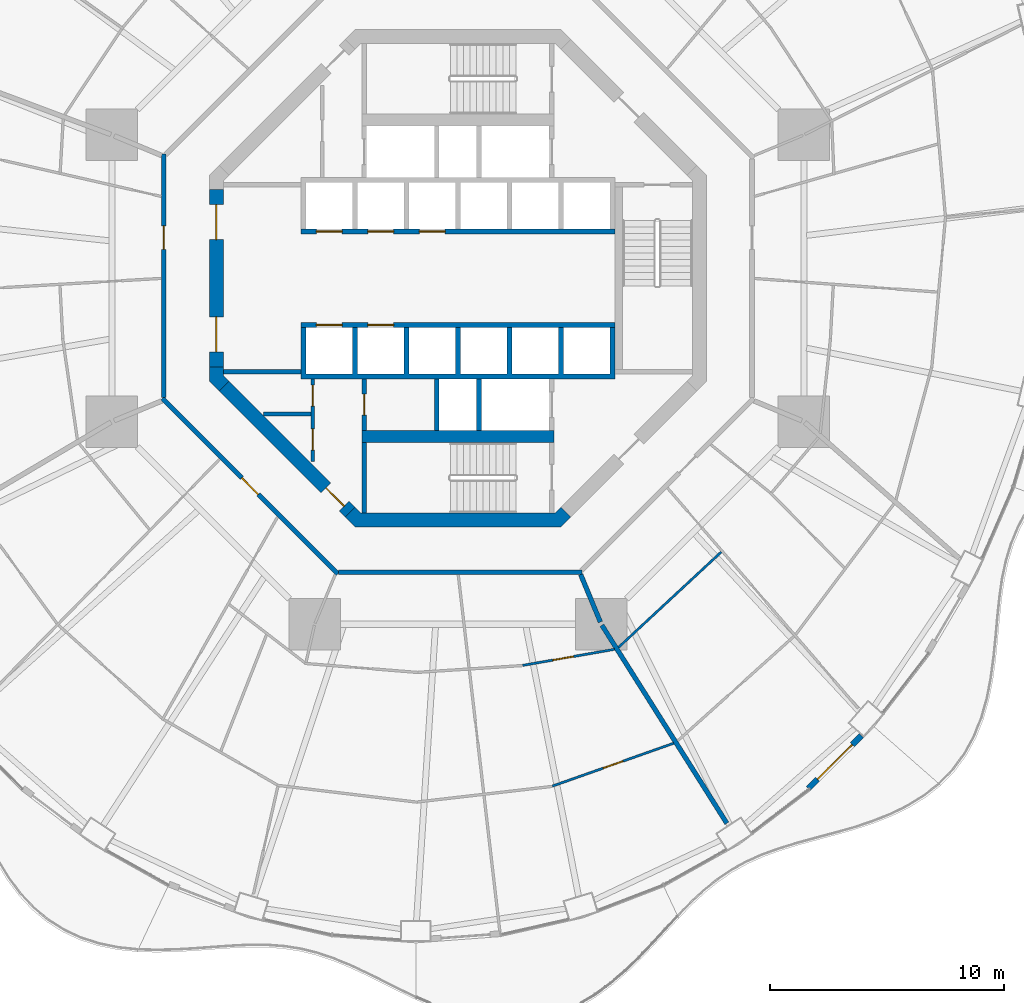
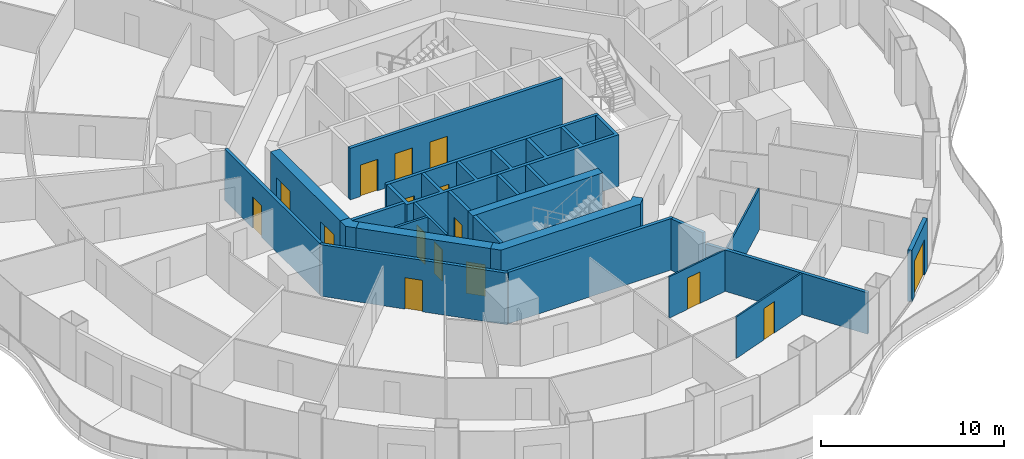
# One storey, part 15 of 22: 24 walls, 16 doors, 16 openings.
"""IFC4 building model written with IfcOpenShell, lengths in metres."""

from ifc_helpers import new_model, si_unit, direction, frame, frame_2d, origin, place, context, subcontext, project, spatial, polyline, rectangle, outline, extrude, material, layer, layer_set, type_object, element, fill, save


model = new_model("IFC4")

# Units and contexts
model_context = context("Model", 3, precision=1e-05, world=origin(), true_north=direction((0.0, 1.0)))
body_context = subcontext(model_context, "Body", "Model", "MODEL_VIEW")
ifc_project = project(units=[si_unit("LENGTHUNIT", "METRE"), si_unit("AREAUNIT", "SQUARE_METRE"), si_unit("VOLUMEUNIT", "CUBIC_METRE"), si_unit("PLANEANGLEUNIT", "RADIAN"), si_unit("MASSUNIT", "GRAM", prefix="KILO")], contexts=[model_context])

# Site, building, storey
site_placement = place(None, origin())
site = spatial("IfcSite", under=ifc_project, at=site_placement, CompositionType="ELEMENT")
building_placement = place(site_placement, origin())
building = spatial("IfcBuilding", under=site, at=building_placement, Name="Nagisa Residences", CompositionType="ELEMENT")
storey_placement = place(building_placement, frame((0.0, 0.0, 84.39990234375)))
storey = spatial("IfcBuildingStorey", under=building, at=storey_placement, Name="L20", CompositionType="ELEMENT", Elevation=84.39990234375)

# Walls
ifc_material_1 = material(Name="Gypsum board on steel studs", Category="steel")
ifc_layer_1 = layer(ifc_material_1, 0.199951171875)
ifc_layer_set_1 = layer_set([ifc_layer_1], Name="Apartment compartment wall EI60 200")
wall_type_1 = type_object("IfcWallType", Name="Apartment compartment wall EI60 200", PredefinedType="PARTITIONING", material=ifc_layer_set_1)
wall_1_placement = place(storey_placement, frame((5.24267578125, -12.6572265625, 0.0), z_axis=(0.0, 0.0, 1.0), x_axis=(0.382747093259, -0.923853160736, 0.0)))
element("IfcWall", 1, at=wall_1_placement, inside=storey, type_object=wall_type_1, Name="wall:L20:u06", PredefinedType="PARTITIONING", context=body_context, shape_type="SweptSolid", body=[
    extrude(rectangle(XDim=2.199951171875, YDim=0.199951171875, at=frame_2d((1.10009765625, 0.0))), origin(), (0.0, 0.0, 1.0), 3.440185546875),
])
wall_2_placement = place(storey_placement, frame((6.149658203125, -14.824462890625, 0.0), z_axis=(0.0, 0.0, 1.0), x_axis=(0.533492589682, -0.845804739142, 0.0)))
element("IfcWall", 2, at=wall_2_placement, inside=storey, type_object=wall_type_1, Name="wall:L20:u07", PredefinedType="PARTITIONING", context=body_context, shape_type="SweptSolid", body=[
    extrude(rectangle(XDim=10.006103515625, YDim=0.199951171875, at=frame_2d((5.0029296875, 0.0))), origin(), (0.0, 0.0, 1.0), 2.76220703125),
])

# Wall, opening, door
ifc_material_2 = material(Name="Gypsum board on steel studs", Category="steel")
ifc_layer_2 = layer(ifc_material_2, 0.199951171875)
ifc_layer_set_2 = layer_set([ifc_layer_2], Name="Apartment entry wall EI60 200")
wall_type_2 = type_object("IfcWallType", Name="Apartment entry wall EI60 200", PredefinedType="PARTITIONING", material=ifc_layer_set_2)
wall_3_placement = place(storey_placement, frame((-12.564697265625, 5.304443359375, 0.0), z_axis=(0.0, 0.0, 1.0), x_axis=(0.0, -1.0, 0.0)))
wall_3 = element("IfcWall", 3, at=wall_3_placement, inside=storey, type_object=wall_type_2, Name="wall:L20:u14", PredefinedType="PARTITIONING", context=body_context, shape_type="SweptSolid", body=[
    extrude(rectangle(XDim=10.408935546875, YDim=0.199951171875, at=frame_2d((5.20458984375, 0.0))), origin(), (0.0, 0.0, 1.0), 3.440185546875),
])
opening_1_placement = place(wall_3_placement, frame((3.069580078125, 0.0, 0.0)))
opening_1 = element("IfcOpeningElement", 4, at=opening_1_placement, cuts=wall_3, Name="Opening L20-U17", PredefinedType="OPENING", context=body_context, shape_type="SweptSolid", body=[
    extrude(rectangle(XDim=1.0, YDim=2.10009765625, at=frame_2d((0.5, 1.050048828125))), frame((0.0, 0.10986328125, 0.0), z_axis=(0.0, -1.0, 0.0), x_axis=(1.0, 0.0, 0.0)), (0.0, 0.0, 1.0), 0.219970703125),
])
ifc_material_3 = material(Name="Timber fire door set", Category="wood")
door_type_1 = type_object("IfcDoorType", Name="Apartment entry door FD30S 1000x2100", OperationType="NOTDEFINED", PredefinedType="DOOR", material=ifc_material_3)
door_1_placement = place(opening_1_placement, frame((1.0, 0.0, 0.0), x_axis=(-1.0, 0.0, 0.0)))
door_1 = element("IfcDoor", 5, at=door_1_placement, inside=storey, type_object=door_type_1, Name="Entry door, Apartment 20B", OperationType="SINGLE_SWING_RIGHT", OverallHeight=2.10009765625, OverallWidth=1.0, PredefinedType="DOOR", context=body_context, shape_type="SweptSolid", body=[
    extrude(rectangle(XDim=1.0, YDim=2.10009765625, at=frame_2d((0.5, 1.050048828125))), frame((0.0, 0.02490234375, 0.0), z_axis=(0.0, -1.0, 0.0), x_axis=(1.0, 0.0, 0.0)), (0.0, 0.0, 1.0), 0.050048828125),
])
fill(opening_1, door_1)

wall_4_placement = place(storey_placement, frame((-12.635498046875, -5.1337890625, 0.0), z_axis=(0.0, 0.0, 1.0), x_axis=(0.707106781187, -0.707106781187, 0.0)))
wall_4 = element("IfcWall", 6, at=wall_4_placement, inside=storey, type_object=wall_type_2, Name="wall:L20:u15", PredefinedType="PARTITIONING", context=body_context, shape_type="SweptSolid", body=[
    extrude(rectangle(XDim=10.609130859375, YDim=0.199951171875, at=frame_2d((5.3046875, 0.0))), origin(), (0.0, 0.0, 1.0), 3.440185546875),
])
opening_2_placement = place(wall_4_placement, frame((4.804443359375, 0.0, 0.0)))
opening_2 = element("IfcOpeningElement", 7, at=opening_2_placement, cuts=wall_4, Name="Opening L20-U24", PredefinedType="OPENING", context=body_context, shape_type="SweptSolid", body=[
    extrude(rectangle(XDim=1.0, YDim=2.10009765625, at=frame_2d((0.5, 1.050048828125))), frame((0.0, 0.10986328125, 0.0), z_axis=(0.0, -1.0, 0.0), x_axis=(1.0, 0.0, 0.0)), (0.0, 0.0, 1.0), 0.219970703125),
])
door_2_placement = place(opening_2_placement, frame((1.0, 0.0, 0.0), x_axis=(-1.0, 0.0, 0.0)))
door_2 = element("IfcDoor", 8, at=door_2_placement, inside=storey, type_object=door_type_1, Name="Entry door, Apartment 20C", OperationType="SINGLE_SWING_LEFT", OverallHeight=2.10009765625, OverallWidth=1.0, PredefinedType="DOOR", context=body_context, shape_type="SweptSolid", body=[
    extrude(rectangle(XDim=1.0, YDim=2.10009765625, at=frame_2d((0.5, 1.050048828125))), frame((0.0, 0.02490234375, 0.0), z_axis=(0.0, -1.0, 0.0), x_axis=(1.0, 0.0, 0.0)), (0.0, 0.0, 1.0), 0.050048828125),
])
fill(opening_2, door_2)

# Wall
wall_5_placement = place(storey_placement, frame((-5.1044921875, -12.564697265625, 0.0), z_axis=(0.0, 0.0, 1.0), x_axis=(1.0, 0.0, 0.0)))
element("IfcWall", 9, at=wall_5_placement, inside=storey, type_object=wall_type_2, Name="wall:L20:u16", PredefinedType="PARTITIONING", context=body_context, shape_type="SweptSolid", body=[
    extrude(rectangle(XDim=10.408935546875, YDim=0.199951171875, at=frame_2d((5.20458984375, 0.0))), origin(), (0.0, 0.0, 1.0), 3.440185546875),
])

# Wall, opening, door
ifc_material_4 = material(Name="Gypsum board on steel studs", Category="steel")
ifc_layer_3 = layer(ifc_material_4, 0.10009765625)
ifc_layer_set_3 = layer_set([ifc_layer_3], Name="Apartment partition 100")
wall_type_3 = type_object("IfcWallType", Name="Apartment partition 100", PredefinedType="PARTITIONING", material=ifc_layer_set_3)
wall_6_placement = place(storey_placement, frame((2.76513671875, -16.541015625, 0.0), z_axis=(0.0, 0.0, 1.0), x_axis=(0.984998714702, 0.172561676036, 0.0)))
wall_6 = element("IfcWall", 10, at=wall_6_placement, inside=storey, type_object=wall_type_3, Name="wall:L20:u81", PredefinedType="PARTITIONING", context=body_context, shape_type="SweptSolid", body=[
    extrude(rectangle(XDim=3.984130859375, YDim=0.10009765625, at=frame_2d((1.9921875, 0.0))), origin(), (0.0, 0.0, 1.0), 2.76220703125),
])
opening_3_placement = place(wall_6_placement, frame((1.3037109375, 0.0, 0.0)))
opening_3 = element("IfcOpeningElement", 11, at=opening_3_placement, cuts=wall_6, Name="Opening L20-U36", PredefinedType="OPENING", context=body_context, shape_type="SweptSolid", body=[
    extrude(rectangle(XDim=0.89990234375, YDim=2.10009765625, at=frame_2d((0.449951171875, 1.050048828125))), frame((0.0, 0.06005859375, 0.0), z_axis=(0.0, -1.0, 0.0), x_axis=(1.0, 0.0, 0.0)), (0.0, 0.0, 1.0), 0.1201171875),
])
ifc_material_5 = material(Name="Timber door set", Category="wood")
door_type_2 = type_object("IfcDoorType", Name="Apartment door 900x2100", OperationType="NOTDEFINED", PredefinedType="DOOR", material=ifc_material_5)
door_3_placement = place(opening_3_placement, origin())
door_3 = element("IfcDoor", 12, at=door_3_placement, inside=storey, type_object=door_type_2, Name="Door to laundry, Apartment 20C", OperationType="SINGLE_SWING_RIGHT", OverallHeight=2.10009765625, OverallWidth=0.89990234375, PredefinedType="DOOR", context=body_context, shape_type="SweptSolid", body=[
    extrude(rectangle(XDim=0.89990234375, YDim=2.10009765625, at=frame_2d((0.449951171875, 1.050048828125))), frame((0.0, 0.02490234375, 0.0), z_axis=(0.0, -1.0, 0.0), x_axis=(1.0, 0.0, 0.0)), (0.0, 0.0, 1.0), 0.050048828125),
])
fill(opening_3, door_3)

wall_7_placement = place(storey_placement, frame((4.034423828125, -21.698486328125, 0.0), z_axis=(0.0, 0.0, 1.0), x_axis=(0.942861482644, 0.33318497047, 0.0)))
wall_7 = element("IfcWall", 13, at=wall_7_placement, inside=storey, type_object=wall_type_3, Name="wall:L20:u82", PredefinedType="PARTITIONING", context=body_context, shape_type="SweptSolid", body=[
    extrude(rectangle(XDim=5.494873046875, YDim=0.10009765625, at=frame_2d((2.74755859375, 0.0))), origin(), (0.0, 0.0, 1.0), 2.76220703125),
])
opening_4_placement = place(wall_7_placement, frame((2.29736328125, 0.0, 0.0)))
opening_4 = element("IfcOpeningElement", 14, at=opening_4_placement, cuts=wall_7, Name="Opening L20-U34", PredefinedType="OPENING", context=body_context, shape_type="SweptSolid", body=[
    extrude(rectangle(XDim=0.89990234375, YDim=2.10009765625, at=frame_2d((0.449951171875, 1.050048828125))), frame((0.0, 0.06005859375, 0.0), z_axis=(0.0, -1.0, 0.0), x_axis=(1.0, 0.0, 0.0)), (0.0, 0.0, 1.0), 0.1201171875),
])
door_4_placement = place(opening_4_placement, frame((0.89990234375, 0.0, 0.0), x_axis=(-1.0, 0.0, 0.0)))
door_4 = element("IfcDoor", 15, at=door_4_placement, inside=storey, type_object=door_type_2, Name="Door to family room, Apartment 20C", OperationType="SINGLE_SWING_LEFT", OverallHeight=2.10009765625, OverallWidth=0.89990234375, PredefinedType="DOOR", context=body_context, shape_type="SweptSolid", body=[
    extrude(rectangle(XDim=0.89990234375, YDim=2.10009765625, at=frame_2d((0.449951171875, 1.050048828125))), frame((0.0, 0.02490234375, 0.0), z_axis=(0.0, -1.0, 0.0), x_axis=(1.0, 0.0, 0.0)), (0.0, 0.0, 1.0), 0.050048828125),
])
fill(opening_4, door_4)

# Wall
wall_8_placement = place(storey_placement, frame((6.861083984375, -15.768310546875, 0.0), z_axis=(0.0, 0.0, 1.0), x_axis=(0.733011256509, 0.680216508056, 0.0)))
element("IfcWall", 16, at=wall_8_placement, inside=storey, type_object=wall_type_3, Name="wall:L20:u83", PredefinedType="PARTITIONING", context=body_context, shape_type="SweptSolid", body=[
    extrude(rectangle(XDim=5.988525390625, YDim=0.10009765625, at=frame_2d((2.994140625, 0.0))), origin(), (0.0, 0.0, 1.0), 2.76220703125),
])

# Wall, opening, door
ifc_material_6 = material(Name="Precast concrete C40/50", Category="concrete")
ifc_layer_4 = layer(ifc_material_6, 0.25)
ifc_layer_set_4 = layer_set([ifc_layer_4], Name="BALCONY DOOR WALL 250")
wall_type_4 = type_object("IfcWallType", Name="BALCONY DOOR WALL 250", PredefinedType="SOLIDWALL", material=ifc_layer_set_4)
wall_9_placement = place(storey_placement, frame((17.23486328125, -19.537353515625, 0.0), z_axis=(0.0, 0.0, 1.0), x_axis=(-0.707793551437, -0.706419343269, 0.0)))
wall_9 = element("IfcWall", 17, at=wall_9_placement, inside=storey, type_object=wall_type_4, Name="wall:L20:bay41", PredefinedType="SOLIDWALL", context=body_context, shape_type="SweptSolid", body=[
    extrude(rectangle(XDim=3.19775390625, YDim=0.25, at=frame_2d((1.598876953125, 0.0))), origin(), (0.0, 0.0, 1.0), 3.440185546875),
])
opening_5_placement = place(wall_9_placement, frame((0.548828125, 0.0, 0.0)))
opening_5 = element("IfcOpeningElement", 18, at=opening_5_placement, cuts=wall_9, Name="Opening BD-L20-14", PredefinedType="OPENING", context=body_context, shape_type="SweptSolid", body=[
    extrude(rectangle(XDim=2.10009765625, YDim=2.39990234375, at=frame_2d((1.050048828125, 1.199951171875))), frame((0.0, 0.135009765625, 0.0), z_axis=(0.0, -1.0, 0.0), x_axis=(1.0, 0.0, 0.0)), (0.0, 0.0, 1.0), 0.27001953125),
])
ifc_material_7 = material(Name="Aluminium and clear glass", Category="aluminium")
door_type_3 = type_object("IfcDoorType", Name="BALCONY SLIDING DOOR 2100x2400", OperationType="SLIDING_TO_LEFT", PredefinedType="DOOR", material=ifc_material_7)
door_5_placement = place(opening_5_placement, origin())
door_5 = element("IfcDoor", 19, at=door_5_placement, inside=storey, type_object=door_type_3, Name="door:L20:bay41", OperationType="SLIDING_TO_LEFT", OverallHeight=2.39990234375, OverallWidth=2.10009765625, PredefinedType="DOOR", context=body_context, shape_type="SweptSolid", body=[
    extrude(rectangle(XDim=2.10009765625, YDim=2.39990234375, at=frame_2d((1.050048828125, 1.199951171875))), frame((0.0, 0.02490234375, 0.0), z_axis=(0.0, -1.0, 0.0), x_axis=(1.0, 0.0, 0.0)), (0.0, 0.0, 1.0), 0.050048828125),
])
fill(opening_5, door_5)

# Wall, openings, doors
ifc_material_8 = material(Name="Gypsum board on steel studs", Category="steel")
ifc_layer_5 = layer(ifc_material_8, 0.14990234375)
ifc_layer_set_5 = layer_set([ifc_layer_5], Name="Core partition 150")
wall_type_5 = type_object("IfcWallType", Name="Core partition 150", PredefinedType="PARTITIONING", material=ifc_layer_set_5)
wall_10_placement = place(storey_placement, frame((-6.199951171875, -7.826904296875, 0.0), z_axis=(0.0, 0.0, 1.0), x_axis=(0.0, 1.0, 0.0)))
wall_10 = element("IfcWall", 20, at=wall_10_placement, inside=storey, type_object=wall_type_5, Name="wall:L20:SWp", PredefinedType="PARTITIONING", context=body_context, shape_type="SweptSolid", body=[
    extrude(rectangle(XDim=3.52685546875, YDim=0.14990234375, at=frame_2d((1.763427734375, 0.0))), origin(), (0.0, 0.0, 1.0), 3.440185546875),
])
opening_6_placement = place(wall_10_placement, frame((2.364501953125, 0.0, 0.0)))
opening_6 = element("IfcOpeningElement", 21, at=opening_6_placement, cuts=wall_10, Name="Opening L20-C13", PredefinedType="OPENING", context=body_context, shape_type="SweptSolid", body=[
    extrude(rectangle(XDim=0.89990234375, YDim=2.10009765625, at=frame_2d((0.449951171875, 1.050048828125))), frame((0.0, 0.0849609375, 0.0), z_axis=(0.0, -1.0, 0.0), x_axis=(1.0, 0.0, 0.0)), (0.0, 0.0, 1.0), 0.169921875),
])
opening_7_placement = place(wall_10_placement, frame((0.488525390625, 0.0, 0.0)))
opening_7 = element("IfcOpeningElement", 22, at=opening_7_placement, cuts=wall_10, Name="Opening L20-C14", PredefinedType="OPENING", context=body_context, shape_type="SweptSolid", body=[
    extrude(rectangle(XDim=0.89990234375, YDim=2.10009765625, at=frame_2d((0.449951171875, 1.050048828125))), frame((0.0, 0.0849609375, 0.0), z_axis=(0.0, -1.0, 0.0), x_axis=(1.0, 0.0, 0.0)), (0.0, 0.0, 1.0), 0.169921875),
])
ifc_material_9 = material(Name="Steel fire door", Category="steel")
door_type_4 = type_object("IfcDoorType", Name="Fire door EI30 900x2100 single swing", OperationType="NOTDEFINED", PredefinedType="DOOR", material=ifc_material_9)
door_6_placement = place(opening_6_placement, origin())
door_6 = element("IfcDoor", 23, at=door_6_placement, inside=storey, type_object=door_type_4, Name="Cleaner store door L20", OperationType="SINGLE_SWING_LEFT", OverallHeight=2.10009765625, OverallWidth=0.89990234375, PredefinedType="DOOR", context=body_context, shape_type="SweptSolid", body=[
    extrude(rectangle(XDim=0.89990234375, YDim=2.10009765625, at=frame_2d((0.449951171875, 1.050048828125))), frame((0.0, 0.02490234375, 0.0), z_axis=(0.0, -1.0, 0.0), x_axis=(1.0, 0.0, 0.0)), (0.0, 0.0, 1.0), 0.050048828125),
])
fill(opening_6, door_6)
door_7_placement = place(opening_7_placement, origin())
door_7 = element("IfcDoor", 24, at=door_7_placement, inside=storey, type_object=door_type_4, Name="Package room door L20", OperationType="SINGLE_SWING_LEFT", OverallHeight=2.10009765625, OverallWidth=0.89990234375, PredefinedType="DOOR", context=body_context, shape_type="SweptSolid", body=[
    extrude(rectangle(XDim=0.89990234375, YDim=2.10009765625, at=frame_2d((0.449951171875, 1.050048828125))), frame((0.0, 0.02490234375, 0.0), z_axis=(0.0, -1.0, 0.0), x_axis=(1.0, 0.0, 0.0)), (0.0, 0.0, 1.0), 0.050048828125),
])
fill(opening_7, door_7)

# Walls
wall_11_placement = place(storey_placement, frame((-8.301025390625, -5.800048828125, 0.0), z_axis=(0.0, 0.0, 1.0), x_axis=(1.0, 0.0, 0.0)))
element("IfcWall", 25, at=wall_11_placement, inside=storey, type_object=wall_type_5, Name="wall:L20:SWq", PredefinedType="PARTITIONING", context=body_context, shape_type="SweptSolid", body=[
    extrude(rectangle(XDim=2.026123046875, YDim=0.14990234375, at=frame_2d((1.01318359375, 0.0))), origin(), (0.0, 0.0, 1.0), 3.440185546875),
])
ifc_material_10 = material(Name="Gypsum board on steel studs", Category="steel")
ifc_layer_6 = layer(ifc_material_10, 0.199951171875)
ifc_layer_set_6 = layer_set([ifc_layer_6], Name="Core partition 200")
wall_type_6 = type_object("IfcWallType", Name="Core partition 200", PredefinedType="PARTITIONING", material=ifc_layer_set_6)
wall_12_placement = place(storey_placement, frame((-10.024658203125, -4.0, 0.0), z_axis=(0.0, 0.0, 1.0), x_axis=(1.0, 0.0, 0.0)))
element("IfcWall", 26, at=wall_12_placement, inside=storey, type_object=wall_type_6, Name="wall:L20:PSW", PredefinedType="PARTITIONING", context=body_context, shape_type="SweptSolid", body=[
    extrude(rectangle(XDim=3.32470703125, YDim=0.199951171875, at=frame_2d((1.662353515625, 0.0))), origin(), (0.0, 0.0, 1.0), 3.440185546875),
])

# Wall, openings, doors
ifc_material_11 = material(Name="Concrete C60", Category="concrete")
ifc_layer_7 = layer(ifc_material_11, 0.60009765625)
ifc_layer_set_7 = layer_set([ifc_layer_7], Name="Core shear wall 600")
wall_type_7 = type_object("IfcWallType", Name="Core shear wall 600", PredefinedType="SHEAR", material=ifc_layer_set_7)
wall_13_placement = place(storey_placement, frame((-10.32470703125, 3.80078125, 0.0), z_axis=(0.0, 0.0, 1.0), x_axis=(0.0, -1.0, 0.0)))
wall_13 = element("IfcWall", 27, at=wall_13_placement, inside=storey, type_object=wall_type_7, Name="wall:L20:core:flat4", PredefinedType="SHEAR", context=body_context, shape_type="SweptSolid", body=[
    extrude(rectangle(XDim=7.6015625, YDim=0.60009765625, at=frame_2d((3.80078125, 0.0))), origin(), (0.0, 0.0, 1.0), 3.440185546875),
])
opening_8_placement = place(wall_13_placement, frame((0.65087890625, 0.0, 0.0)))
opening_8 = element("IfcOpeningElement", 28, at=opening_8_placement, cuts=wall_13, Name="Opening L20-C18", PredefinedType="OPENING", context=body_context, shape_type="SweptSolid", body=[
    extrude(rectangle(XDim=1.5, YDim=2.10009765625, at=frame_2d((0.75, 1.050048828125))), frame((0.0, 0.31005859375, 0.0), z_axis=(0.0, -1.0, 0.0), x_axis=(1.0, 0.0, 0.0)), (0.0, 0.0, 1.0), 0.6201171875),
])
opening_9_placement = place(wall_13_placement, frame((5.450927734375, 0.0, 0.0)))
opening_9 = element("IfcOpeningElement", 29, at=opening_9_placement, cuts=wall_13, Name="Opening L20-C19", PredefinedType="OPENING", context=body_context, shape_type="SweptSolid", body=[
    extrude(rectangle(XDim=1.5, YDim=2.10009765625, at=frame_2d((0.75, 1.050048828125))), frame((0.0, 0.31005859375, 0.0), z_axis=(0.0, -1.0, 0.0), x_axis=(1.0, 0.0, 0.0)), (0.0, 0.0, 1.0), 0.6201171875),
])
ifc_material_12 = material(Name="Steel fire door", Category="steel")
door_type_5 = type_object("IfcDoorType", Name="Fire door EI60 1500x2100 double door single swing", OperationType="DOUBLE_DOOR_SINGLE_SWING", PredefinedType="DOOR", material=ifc_material_12)
door_8_placement = place(opening_8_placement, origin())
door_8 = element("IfcDoor", 30, at=door_8_placement, inside=storey, type_object=door_type_5, Name="Lift lobby door L20 1", OperationType="DOUBLE_DOOR_SINGLE_SWING", OverallHeight=2.10009765625, OverallWidth=1.5, PredefinedType="DOOR", context=body_context, shape_type="SweptSolid", body=[
    extrude(rectangle(XDim=1.5, YDim=2.10009765625, at=frame_2d((0.75, 1.050048828125))), frame((0.0, 0.02490234375, 0.0), z_axis=(0.0, -1.0, 0.0), x_axis=(1.0, 0.0, 0.0)), (0.0, 0.0, 1.0), 0.050048828125),
])
fill(opening_8, door_8)
door_9_placement = place(opening_9_placement, origin())
door_9 = element("IfcDoor", 31, at=door_9_placement, inside=storey, type_object=door_type_5, Name="Lift lobby door L20 2", OperationType="DOUBLE_DOOR_SINGLE_SWING", OverallHeight=2.10009765625, OverallWidth=1.5, PredefinedType="DOOR", context=body_context, shape_type="SweptSolid", body=[
    extrude(rectangle(XDim=1.5, YDim=2.10009765625, at=frame_2d((0.75, 1.050048828125))), frame((0.0, 0.02490234375, 0.0), z_axis=(0.0, -1.0, 0.0), x_axis=(1.0, 0.0, 0.0)), (0.0, 0.0, 1.0), 0.050048828125),
])
fill(opening_9, door_9)

# Wall, opening, door
wall_14_placement = place(storey_placement, frame((-9.98828125, -4.613037109375, 0.0), z_axis=(0.0, 0.0, 1.0), x_axis=(0.707106781187, -0.707106781187, 0.0)))
wall_14 = element("IfcWall", 32, at=wall_14_placement, inside=storey, type_object=wall_type_7, Name="wall:L20:core:flat5", PredefinedType="SHEAR", context=body_context, shape_type="SweptSolid", body=[
    extrude(rectangle(XDim=7.601806640625, YDim=0.60009765625, at=frame_2d((3.80078125, 0.0))), origin(), (0.0, 0.0, 1.0), 3.440185546875),
])
opening_10_placement = place(wall_14_placement, frame((6.15087890625, 0.0, 0.0)))
opening_10 = element("IfcOpeningElement", 33, at=opening_10_placement, cuts=wall_14, Name="Opening L20-C21", PredefinedType="OPENING", context=body_context, shape_type="SweptSolid", body=[
    extrude(rectangle(XDim=1.10009765625, YDim=2.10009765625, at=frame_2d((0.550048828125, 1.050048828125))), frame((0.0, 0.31005859375, 0.0), z_axis=(0.0, -1.0, 0.0), x_axis=(1.0, 0.0, 0.0)), (0.0, 0.0, 1.0), 0.6201171875),
])
ifc_material_13 = material(Name="Steel fire door", Category="steel")
door_type_6 = type_object("IfcDoorType", Name="Fire door EI60 1100x2100 single swing", OperationType="NOTDEFINED", PredefinedType="DOOR", material=ifc_material_13)
door_10_placement = place(opening_10_placement, origin())
door_10 = element("IfcDoor", 34, at=door_10_placement, inside=storey, type_object=door_type_6, Name="Housekeeping lobby door L20", OperationType="SINGLE_SWING_LEFT", OverallHeight=2.10009765625, OverallWidth=1.10009765625, PredefinedType="DOOR", context=body_context, shape_type="SweptSolid", body=[
    extrude(rectangle(XDim=1.10009765625, YDim=2.10009765625, at=frame_2d((0.550048828125, 1.050048828125))), frame((0.0, 0.02490234375, 0.0), z_axis=(0.0, -1.0, 0.0), x_axis=(1.0, 0.0, 0.0)), (0.0, 0.0, 1.0), 0.050048828125),
])
fill(opening_10, door_10)

# Walls
wall_15_placement = place(storey_placement, origin())
element("IfcWall", 35, at=wall_15_placement, inside=storey, type_object=wall_type_7, Name="wall:L20:core:pier4", PredefinedType="SHEAR", context=body_context, shape_type="SweptSolid", body=[
    extrude(outline(polyline([(-10.62451171875, -3.80078125), (-10.024658203125, -3.80078125), (-10.024658203125, -4.15234375), (-9.776123046875, -4.40087890625), (-10.200439453125, -4.8251953125), (-10.62451171875, -4.40087890625), (-10.62451171875, -3.80078125)])), origin(), (0.0, 0.0, 1.0), 3.440185546875),
])
wall_16_placement = place(storey_placement, origin())
element("IfcWall", 36, at=wall_16_placement, inside=storey, type_object=wall_type_7, Name="wall:L20:core:flat6", PredefinedType="SHEAR", context=body_context, shape_type="SweptSolid", body=[
    extrude(outline(polyline([(-4.15234375, -10.024658203125), (4.15234375, -10.024658203125), (4.40087890625, -9.776123046875), (4.8251953125, -10.200439453125), (4.40087890625, -10.62451171875), (-4.40087890625, -10.62451171875), (-4.8251953125, -10.200439453125), (-4.40087890625, -9.776123046875), (-4.15234375, -10.024658203125)])), origin(), (0.0, 0.0, 1.0), 3.440185546875),
])

# Wall, openings, doors
ifc_material_14 = material(Name="Concrete C60", Category="concrete")
ifc_layer_8 = layer(ifc_material_14, 0.199951171875)
ifc_layer_set_8 = layer_set([ifc_layer_8], Name="Lift shaft wall 200")
wall_type_8 = type_object("IfcWallType", Name="Lift shaft wall 200", PredefinedType="SOLIDWALL", material=ifc_layer_set_8)
wall_17_placement = place(storey_placement, frame((-6.699951171875, 2.0, 0.0), z_axis=(0.0, 0.0, 1.0), x_axis=(1.0, 0.0, 0.0)))
wall_17 = element("IfcWall", 37, at=wall_17_placement, inside=storey, type_object=wall_type_8, Name="wall:L20:Nfront", PredefinedType="SOLIDWALL", context=body_context, shape_type="SweptSolid", body=[
    extrude(rectangle(XDim=13.39990234375, YDim=0.199951171875, at=frame_2d((6.699951171875, 0.0))), origin(), (0.0, 0.0, 1.0), 3.440185546875),
])
opening_11_placement = place(wall_17_placement, frame((0.64990234375, 0.0, 0.0)))
opening_11 = element("IfcOpeningElement", 38, at=opening_11_placement, cuts=wall_17, Name="Opening L20-C01", PredefinedType="OPENING", context=body_context, shape_type="SweptSolid", body=[
    extrude(rectangle(XDim=1.10009765625, YDim=2.10009765625, at=frame_2d((0.550048828125, 1.050048828125))), frame((0.0, 0.10986328125, 0.0), z_axis=(0.0, -1.0, 0.0), x_axis=(1.0, 0.0, 0.0)), (0.0, 0.0, 1.0), 0.219970703125),
])
opening_12_placement = place(wall_17_placement, frame((2.85009765625, 0.0, 0.0)))
opening_12 = element("IfcOpeningElement", 39, at=opening_12_placement, cuts=wall_17, Name="Opening L20-C02", PredefinedType="OPENING", context=body_context, shape_type="SweptSolid", body=[
    extrude(rectangle(XDim=1.10009765625, YDim=2.10009765625, at=frame_2d((0.550048828125, 1.050048828125))), frame((0.0, 0.10986328125, 0.0), z_axis=(0.0, -1.0, 0.0), x_axis=(1.0, 0.0, 0.0)), (0.0, 0.0, 1.0), 0.219970703125),
])
opening_13_placement = place(wall_17_placement, frame((5.050048828125, 0.0, 0.0)))
opening_13 = element("IfcOpeningElement", 40, at=opening_13_placement, cuts=wall_17, Name="Opening L20-C03", PredefinedType="OPENING", context=body_context, shape_type="SweptSolid", body=[
    extrude(rectangle(XDim=1.10009765625, YDim=2.10009765625, at=frame_2d((0.550048828125, 1.050048828125))), frame((0.0, 0.10986328125, 0.0), z_axis=(0.0, -1.0, 0.0), x_axis=(1.0, 0.0, 0.0)), (0.0, 0.0, 1.0), 0.219970703125),
])
ifc_material_15 = material(Name="Stainless steel", Category="steel")
door_type_7 = type_object("IfcDoorType", Name="Lift landing door 1100x2100", OperationType="DOUBLE_DOOR_SLIDING", PredefinedType="DOOR", material=ifc_material_15)
door_11_placement = place(opening_11_placement, origin())
door_11 = element("IfcDoor", 41, at=door_11_placement, inside=storey, type_object=door_type_7, Name="Landing door A1 L20", OperationType="DOUBLE_DOOR_SLIDING", OverallHeight=2.10009765625, OverallWidth=1.10009765625, PredefinedType="DOOR", context=body_context, shape_type="SweptSolid", body=[
    extrude(rectangle(XDim=1.10009765625, YDim=2.10009765625, at=frame_2d((0.550048828125, 1.050048828125))), frame((0.0, 0.02490234375, 0.0), z_axis=(0.0, -1.0, 0.0), x_axis=(1.0, 0.0, 0.0)), (0.0, 0.0, 1.0), 0.050048828125),
])
fill(opening_11, door_11)
door_12_placement = place(opening_12_placement, origin())
door_12 = element("IfcDoor", 42, at=door_12_placement, inside=storey, type_object=door_type_7, Name="Landing door A2 L20", OperationType="DOUBLE_DOOR_SLIDING", OverallHeight=2.10009765625, OverallWidth=1.10009765625, PredefinedType="DOOR", context=body_context, shape_type="SweptSolid", body=[
    extrude(rectangle(XDim=1.10009765625, YDim=2.10009765625, at=frame_2d((0.550048828125, 1.050048828125))), frame((0.0, 0.02490234375, 0.0), z_axis=(0.0, -1.0, 0.0), x_axis=(1.0, 0.0, 0.0)), (0.0, 0.0, 1.0), 0.050048828125),
])
fill(opening_12, door_12)
door_13_placement = place(opening_13_placement, origin())
door_13 = element("IfcDoor", 43, at=door_13_placement, inside=storey, type_object=door_type_7, Name="Landing door A3 L20", OperationType="DOUBLE_DOOR_SLIDING", OverallHeight=2.10009765625, OverallWidth=1.10009765625, PredefinedType="DOOR", context=body_context, shape_type="SweptSolid", body=[
    extrude(rectangle(XDim=1.10009765625, YDim=2.10009765625, at=frame_2d((0.550048828125, 1.050048828125))), frame((0.0, 0.02490234375, 0.0), z_axis=(0.0, -1.0, 0.0), x_axis=(1.0, 0.0, 0.0)), (0.0, 0.0, 1.0), 0.050048828125),
])
fill(opening_13, door_13)

# Wall, opening, door
wall_18_placement = place(storey_placement, frame((-4.0, -6.5, 0.0), z_axis=(0.0, 0.0, 1.0), x_axis=(0.0, 1.0, 0.0)))
wall_18 = element("IfcWall", 44, at=wall_18_placement, inside=storey, type_object=wall_type_8, Name="wall:L20:Sb4", PredefinedType="SOLIDWALL", context=body_context, shape_type="SweptSolid", body=[
    extrude(rectangle(XDim=2.199951171875, YDim=0.199951171875, at=frame_2d((1.10009765625, 0.0))), origin(), (0.0, 0.0, 1.0), 3.440185546875),
])
opening_14_placement = place(wall_18_placement, frame((0.64990234375, 0.0, 0.0)))
opening_14 = element("IfcOpeningElement", 45, at=opening_14_placement, cuts=wall_18, Name="Opening L20-C15", PredefinedType="OPENING", context=body_context, shape_type="SweptSolid", body=[
    extrude(rectangle(XDim=0.89990234375, YDim=2.10009765625, at=frame_2d((0.449951171875, 1.050048828125))), frame((0.0, 0.10986328125, 0.0), z_axis=(0.0, -1.0, 0.0), x_axis=(1.0, 0.0, 0.0)), (0.0, 0.0, 1.0), 0.219970703125),
])
door_14_placement = place(opening_14_placement, frame((0.89990234375, 0.0, 0.0), x_axis=(-1.0, 0.0, 0.0)))
door_14 = element("IfcDoor", 46, at=door_14_placement, inside=storey, type_object=door_type_4, Name="Refuse room door L20", OperationType="SINGLE_SWING_RIGHT", OverallHeight=2.10009765625, OverallWidth=0.89990234375, PredefinedType="DOOR", context=body_context, shape_type="SweptSolid", body=[
    extrude(rectangle(XDim=0.89990234375, YDim=2.10009765625, at=frame_2d((0.449951171875, 1.050048828125))), frame((0.0, 0.02490234375, 0.0), z_axis=(0.0, -1.0, 0.0), x_axis=(1.0, 0.0, 0.0)), (0.0, 0.0, 1.0), 0.050048828125),
])
fill(opening_14, door_14)

# Wall, openings, doors
wall_19_placement = place(storey_placement, frame((-6.699951171875, -2.0, 0.0), z_axis=(0.0, 0.0, 1.0), x_axis=(1.0, 0.0, 0.0)))
wall_19 = element("IfcWall", 47, at=wall_19_placement, inside=storey, type_object=wall_type_8, Name="wall:L20:Sfront", PredefinedType="SOLIDWALL", context=body_context, shape_type="SweptSolid", body=[
    extrude(rectangle(XDim=13.39990234375, YDim=0.199951171875, at=frame_2d((6.699951171875, 0.0))), origin(), (0.0, 0.0, 1.0), 3.440185546875),
])
opening_15_placement = place(wall_19_placement, frame((0.64990234375, 0.0, 0.0)))
opening_15 = element("IfcOpeningElement", 48, at=opening_15_placement, cuts=wall_19, Name="Opening L20-C04", PredefinedType="OPENING", context=body_context, shape_type="SweptSolid", body=[
    extrude(rectangle(XDim=1.10009765625, YDim=2.10009765625, at=frame_2d((0.550048828125, 1.050048828125))), frame((0.0, 0.10986328125, 0.0), z_axis=(0.0, -1.0, 0.0), x_axis=(1.0, 0.0, 0.0)), (0.0, 0.0, 1.0), 0.219970703125),
])
opening_16_placement = place(wall_19_placement, frame((2.85009765625, 0.0, 0.0)))
opening_16 = element("IfcOpeningElement", 49, at=opening_16_placement, cuts=wall_19, Name="Opening L20-C05", PredefinedType="OPENING", context=body_context, shape_type="SweptSolid", body=[
    extrude(rectangle(XDim=1.10009765625, YDim=2.10009765625, at=frame_2d((0.550048828125, 1.050048828125))), frame((0.0, 0.10986328125, 0.0), z_axis=(0.0, -1.0, 0.0), x_axis=(1.0, 0.0, 0.0)), (0.0, 0.0, 1.0), 0.219970703125),
])
door_15_placement = place(opening_15_placement, origin())
door_15 = element("IfcDoor", 50, at=door_15_placement, inside=storey, type_object=door_type_7, Name="Landing door A4 L20", OperationType="DOUBLE_DOOR_SLIDING", OverallHeight=2.10009765625, OverallWidth=1.10009765625, PredefinedType="DOOR", context=body_context, shape_type="SweptSolid", body=[
    extrude(rectangle(XDim=1.10009765625, YDim=2.10009765625, at=frame_2d((0.550048828125, 1.050048828125))), frame((0.0, 0.02490234375, 0.0), z_axis=(0.0, -1.0, 0.0), x_axis=(1.0, 0.0, 0.0)), (0.0, 0.0, 1.0), 0.050048828125),
])
fill(opening_15, door_15)
door_16_placement = place(opening_16_placement, origin())
door_16 = element("IfcDoor", 51, at=door_16_placement, inside=storey, type_object=door_type_7, Name="Landing door A5 L20", OperationType="DOUBLE_DOOR_SLIDING", OverallHeight=2.10009765625, OverallWidth=1.10009765625, PredefinedType="DOOR", context=body_context, shape_type="SweptSolid", body=[
    extrude(rectangle(XDim=1.10009765625, YDim=2.10009765625, at=frame_2d((0.550048828125, 1.050048828125))), frame((0.0, 0.02490234375, 0.0), z_axis=(0.0, -1.0, 0.0), x_axis=(1.0, 0.0, 0.0)), (0.0, 0.0, 1.0), 0.050048828125),
])
fill(opening_16, door_16)

# Walls
for number, where, z_axis, x_axis, name in (
    (52, (-0.89990234375, -6.5, 0.0), (0.0, 0.0, 1.0), (0.0, 1.0, 0.0), "wall:L20:Sb1"),
    (53, (0.89990234375, -6.5, 0.0), (0.0, 0.0, 1.0), (0.0, 1.0, 0.0), "wall:L20:Sb2"),
):
    element("IfcWall", number, at=place(storey_placement, frame(where, z_axis=z_axis, x_axis=x_axis)), inside=storey, type_object=wall_type_8, Name=name, PredefinedType="SOLIDWALL", context=body_context, shape_type="SweptSolid", body=[
        extrude(rectangle(XDim=2.199951171875, YDim=0.199951171875, at=frame_2d((1.10009765625, 0.0))), origin(), (0.0, 0.0, 1.0), 3.440185546875),
    ])
wall_20_placement = place(storey_placement, origin())
element("IfcWall", 54, at=wall_20_placement, inside=storey, type_object=wall_type_8, Name="wall:L20:Sback", PredefinedType="SOLIDWALL", context=body_context, shape_type="SweptSolid", body=[
    extrude(outline(polyline([(-6.699951171875, -2.10009765625), (-6.5, -2.10009765625), (-6.5, -4.10009765625), (-4.5, -4.10009765625), (-4.5, -2.10009765625), (-4.300048828125, -2.10009765625), (-4.300048828125, -4.10009765625), (-2.300048828125, -4.10009765625), (-2.300048828125, -2.10009765625), (-2.10009765625, -2.10009765625), (-2.10009765625, -4.10009765625), (-0.10009765625, -4.10009765625), (-0.10009765625, -2.10009765625), (0.10009765625, -2.10009765625), (0.10009765625, -4.10009765625), (2.10009765625, -4.10009765625), (2.10009765625, -2.10009765625), (2.300048828125, -2.10009765625), (2.300048828125, -4.10009765625), (4.300048828125, -4.10009765625), (4.300048828125, -2.10009765625), (4.5, -2.10009765625), (4.5, -4.10009765625), (6.5, -4.10009765625), (6.5, -2.10009765625), (6.699951171875, -2.10009765625), (6.699951171875, -4.300048828125), (-6.699951171875, -4.300048828125), (-6.699951171875, -2.10009765625)])), origin(), (0.0, 0.0, 1.0), 3.440185546875),
])
ifc_material_16 = material(Name="Concrete C60", Category="concrete")
ifc_layer_9 = layer(ifc_material_16, 0.199951171875)
ifc_layer_set_9 = layer_set([ifc_layer_9], Name="Stair enclosure wall 200")
wall_type_9 = type_object("IfcWallType", Name="Stair enclosure wall 200", PredefinedType="SOLIDWALL", material=ifc_layer_set_9)
wall_21_placement = place(storey_placement, origin())
element("IfcWall", 55, at=wall_21_placement, inside=storey, type_object=wall_type_9, Name="wall:L20:SS_w", PredefinedType="SOLIDWALL", context=body_context, shape_type="SweptSolid", body=[
    extrude(outline(polyline([(-3.89990234375, -10.024658203125), (-4.10009765625, -10.024658203125), (-4.10009765625, -7.024658203125), (-3.89990234375, -7.024658203125), (-3.89990234375, -10.024658203125)])), origin(), (0.0, 0.0, 1.0), 3.440185546875),
])
wall_22_placement = place(storey_placement, origin())
element("IfcWall", 56, at=wall_22_placement, inside=storey, type_object=wall_type_9, Name="wall:L20:SS_n", PredefinedType="SOLIDWALL", context=body_context, shape_type="SweptSolid", body=[
    extrude(outline(polyline([(4.10009765625, -7.024658203125), (-4.10009765625, -7.024658203125), (-4.10009765625, -6.5), (4.10009765625, -6.5), (4.10009765625, -7.024658203125)])), origin(), (0.0, 0.0, 1.0), 3.440185546875),
])

save(model, "model.ifc")
